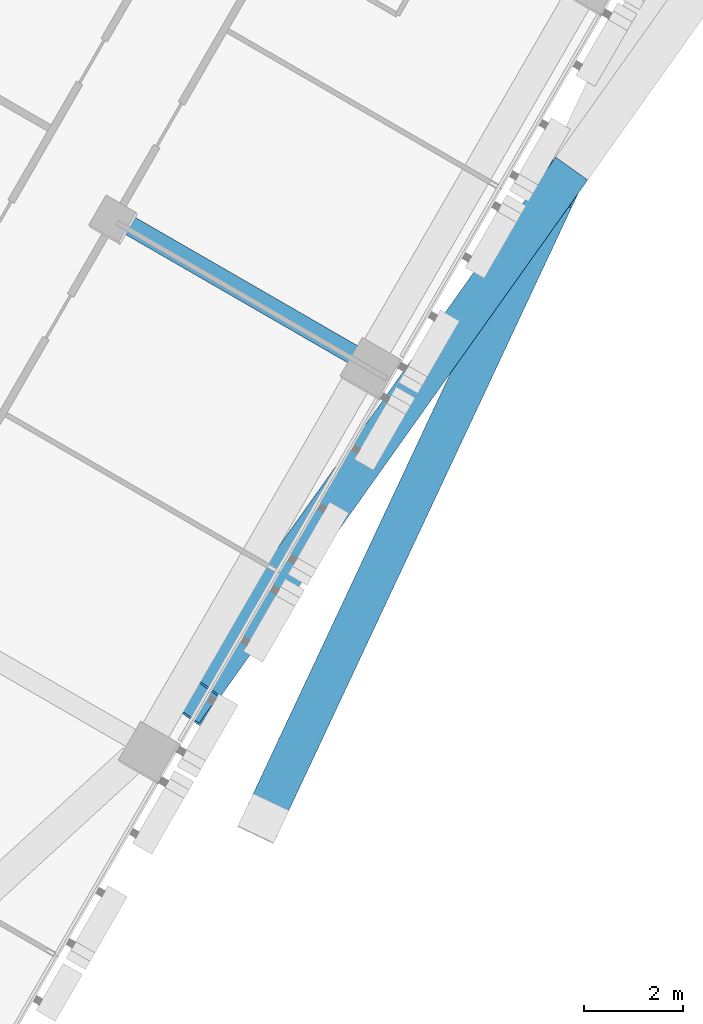
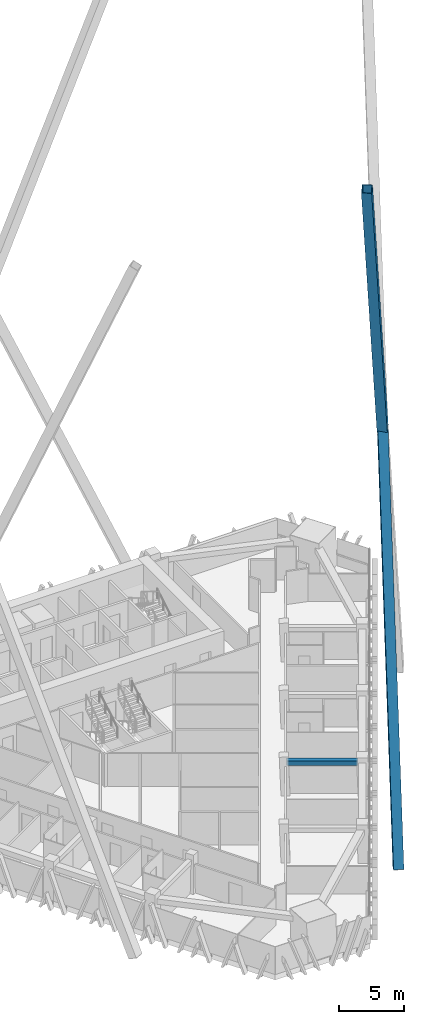
# One storey, part 8 of 23: 2 members, 1 beam.
"""IFC4 building model written with IfcOpenShell, lengths in metres."""

from ifc_helpers import new_model, si_unit, direction, frame, origin, origin_2d, place, context, subcontext, project, spatial, rectangle, hollow_rectangle, extrude, material, material_profile, profile_set, type_object, element, save


model = new_model("IFC4")

# Units and contexts
model_context = context("Model", 3, precision=1e-05, world=origin(), true_north=direction((0.0, 1.0)))
body_context = subcontext(model_context, "Body", "Model", "MODEL_VIEW")
ifc_project = project(units=[si_unit("LENGTHUNIT", "METRE"), si_unit("AREAUNIT", "SQUARE_METRE"), si_unit("VOLUMEUNIT", "CUBIC_METRE"), si_unit("PLANEANGLEUNIT", "RADIAN"), si_unit("MASSUNIT", "GRAM", prefix="KILO")], contexts=[model_context])

# Site, building, storey
site_placement = place(None, origin())
site = spatial("IfcSite", under=ifc_project, at=site_placement, CompositionType="ELEMENT")
building_placement = place(site_placement, origin())
building = spatial("IfcBuilding", under=site, at=building_placement, Name="Altiplano Prism Tower", CompositionType="ELEMENT")
storey_placement = place(building_placement, frame((0.0, 0.0, 100.800048828125)))
storey = spatial("IfcBuildingStorey", under=building, at=storey_placement, Name="L25", CompositionType="ELEMENT", Elevation=100.800048828125)

# Members
ifc_material_1 = material(Name="Steel S355", Category="steel")
ifc_material_profile_1 = material_profile(ifc_material_1, hollow_rectangle(XDim=0.800048828125, YDim=0.800048828125, WallThickness=0.0400390625, at=origin_2d()), Name="Mega brace Box 800x800x40")
ifc_profile_set_1 = profile_set([ifc_material_profile_1], Name="Steel S355")
member_type = type_object("IfcMemberType", Name="Mega brace Box 800x800x40", PredefinedType="BRACE", material=ifc_profile_set_1)
member_1_placement = place(storey_placement, frame((96.708984375, 63.563720703125, -0.813720703125), z_axis=(0.174877056659, 0.372969319887, 0.91121452001), x_axis=(-0.905414441039, 0.424528785783, 0.0)))
element("IfcMember", 1, at=member_1_placement, inside=storey, type_object=member_type, Name="Mega brace 3.2.1", PredefinedType="BRACE", context=body_context, shape_type="SweptSolid", body=[
    extrude(hollow_rectangle(XDim=0.800048828125, YDim=0.800048828125, WallThickness=0.0400390625, at=origin_2d()), origin(), (0.0, 0.0, 1.0), 34.556884765625),
])
member_2_placement = place(storey_placement, frame((102.752197265625, 76.452392578125, 30.675048828125), z_axis=(-0.218820099052, -0.307789490136, 0.925949995417), x_axis=(0.815020885134, -0.579431580771, 0.0)))
element("IfcMember", 2, at=member_2_placement, inside=storey, type_object=member_type, Name="Mega brace 3.2.4", PredefinedType="BRACE", context=body_context, shape_type="SweptSolid", body=[
    extrude(hollow_rectangle(XDim=0.800048828125, YDim=0.800048828125, WallThickness=0.0400390625, at=origin_2d()), origin(), (0.0, 0.0, 1.0), 34.0458984375),
])

# Beam
ifc_material_2 = material(Name="Concrete C60/75", Category="concrete")
ifc_material_profile_2 = material_profile(ifc_material_2, rectangle(XDim=0.39990234375, YDim=0.39990234375, at=origin_2d()), Name="Tie beam 400x400")
ifc_profile_set_2 = profile_set([ifc_material_profile_2], Name="Concrete C60/75")
beam_type = type_object("IfcBeamType", Name="Tie beam 400x400", PredefinedType="BEAM", material=ifc_profile_set_2)
beam_placement = place(storey_placement, frame((93.786865234375, 75.716552734375, 2.89990234375), z_axis=(0.866031549307, -0.499989355492, 0.0), x_axis=(0.499989355492, 0.866031549307, 0.0)))
element("IfcBeam", 3, at=beam_placement, inside=storey, type_object=beam_type, Name="Tie beam I22 L26", PredefinedType="BEAM", context=body_context, shape_type="SweptSolid", body=[
    extrude(rectangle(XDim=0.39990234375, YDim=0.39990234375, at=origin_2d()), origin(), (0.0, 0.0, 1.0), 5.48974609375),
])

save(model, "model.ifc")
